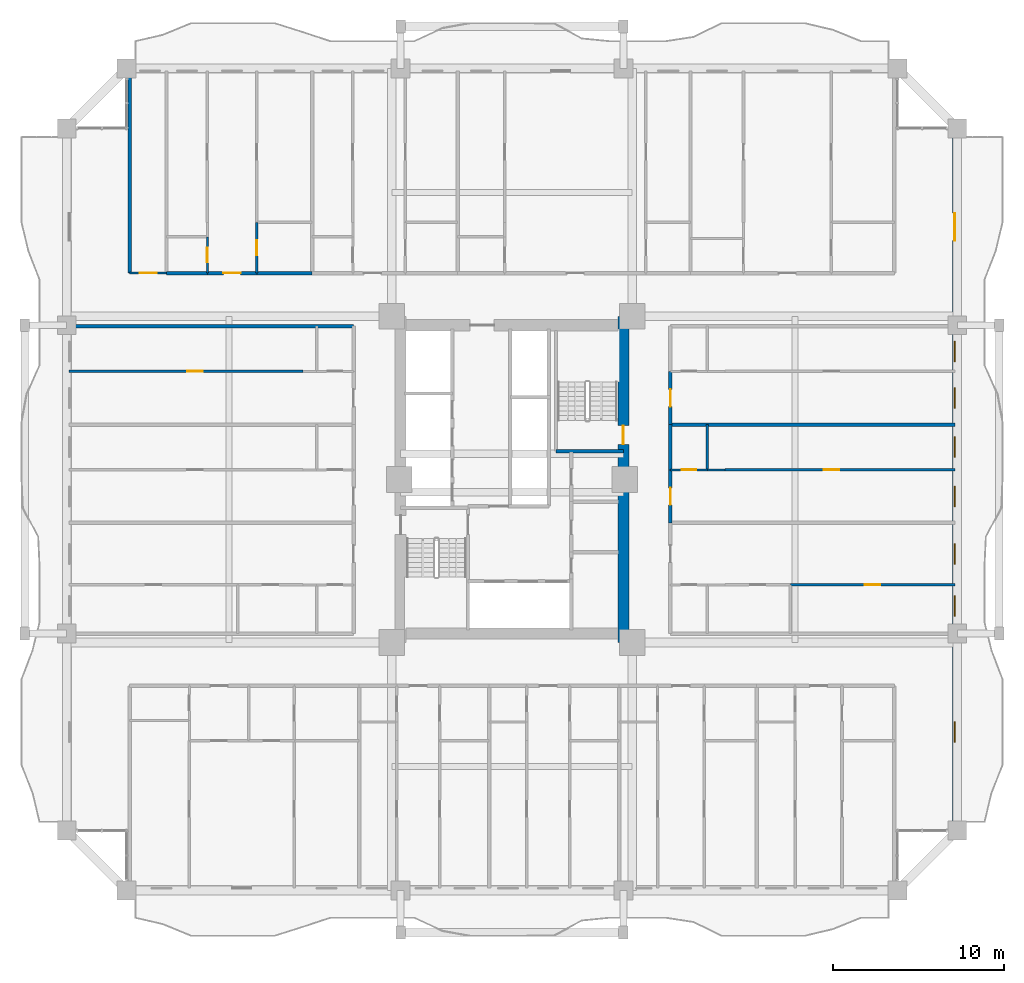
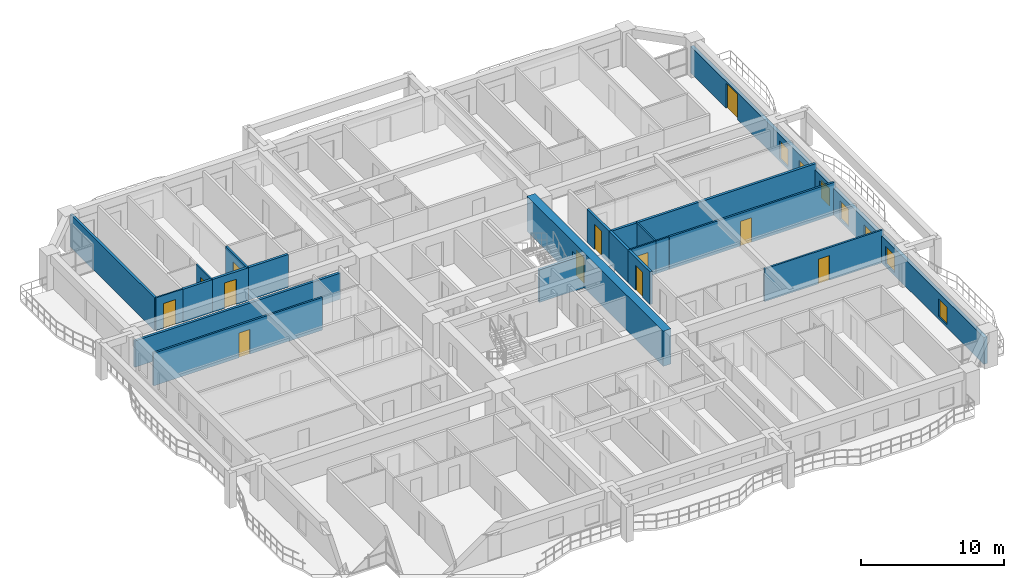
# One storey, part 18 of 28: 21 walls, 12 doors, 7 windows, 19 openings.
"""IFC4 building model written with IfcOpenShell, lengths in metres."""

from ifc_helpers import new_model, si_unit, direction, frame, frame_2d, origin, place, context, subcontext, project, spatial, rectangle, extrude, source, transform, mapped, material, layer, layer_set, type_object, element, fill, save


model = new_model("IFC4")

# Units and contexts
model_context = context("Model", 3, precision=1e-05, world=origin(), true_north=direction((0.0, 1.0)))
body_context = subcontext(model_context, "Body", "Model", "MODEL_VIEW")
ifc_project = project(units=[si_unit("LENGTHUNIT", "METRE"), si_unit("AREAUNIT", "SQUARE_METRE"), si_unit("VOLUMEUNIT", "CUBIC_METRE"), si_unit("PLANEANGLEUNIT", "RADIAN"), si_unit("MASSUNIT", "GRAM", prefix="KILO")], contexts=[model_context])

# Site, building, storey
site_placement = place(None, origin())
site = spatial("IfcSite", under=ifc_project, at=site_placement, CompositionType="ELEMENT")
building_placement = place(site_placement, origin())
building = spatial("IfcBuilding", under=site, at=building_placement, Name="Saelheon Loggia Tower", CompositionType="ELEMENT")
storey_placement = place(building_placement, frame((0.0, 0.0, 61.39990234375)))
storey = spatial("IfcBuildingStorey", under=building, at=storey_placement, Name="L19", CompositionType="ELEMENT", Elevation=61.39990234375)

# Wall, opening, door
ifc_material_1 = material(Name="Concrete C60/75", Category="concrete")
ifc_layer_1 = layer(ifc_material_1, 0.64990234375)
ifc_layer_set_1 = layer_set([ifc_layer_1], Name="Concrete C60/75")
wall_type_1 = type_object("IfcWallType", Name="Wall_CoreShear_650", PredefinedType="SHEAR", material=ifc_layer_set_1)
wall_1_placement = place(storey_placement, frame((44.5, 17.47998046875, 0.0), z_axis=(0.0, 0.0, 1.0), x_axis=(0.0, 1.0, 0.0)))
wall_1 = element("IfcWall", 1, at=wall_1_placement, inside=storey, type_object=wall_type_1, Name="L19 Core Shear Wall East", PredefinedType="SHEAR", context=body_context, shape_type="SweptSolid", body=[
    extrude(rectangle(XDim=19.0400390625, YDim=0.64990234375, at=frame_2d((9.52001953125, 0.0))), origin(), (0.0, 0.0, 1.0), 3.0),
])
opening_1_placement = place(wall_1_placement, frame((12.670166015625, 0.0, 0.0), z_axis=(0.0, 0.0, 1.0), x_axis=(-1.0, 0.0, 0.0)))
opening_1 = element("IfcOpeningElement", 2, at=opening_1_placement, cuts=wall_1, Name="Opening D-FD2", PredefinedType="OPENING", context=body_context, shape_type="SweptSolid", body=[
    extrude(rectangle(XDim=1.10009765625, YDim=2.14990234375, at=frame_2d((0.550048828125, 1.074951171875))), frame((0.0, 0.3369140625, 0.0), z_axis=(0.0, -1.0, 0.0), x_axis=(1.0, 0.0, 0.0)), (0.0, 0.0, 1.0), 0.673828125),
])
ifc_material_2 = material(Name="Galvanised Steel Fire Door", Category="steel")
door_type_1 = type_object("IfcDoorType", Name="Door_Fire_FD60_1100", OperationType="NOTDEFINED", PredefinedType="DOOR", material=ifc_material_2)
shared_shape_1 = source(origin(), body_context, "Body", "SweptSolid", [
    extrude(rectangle(XDim=1.10009765625, YDim=2.14990234375, at=frame_2d((0.550048828125, 1.074951171875))), frame((0.0, 0.02490234375, 0.0), z_axis=(0.0, -1.0, 0.0), x_axis=(1.0, 0.0, 0.0)), (0.0, 0.0, 1.0), 0.050048828125),
])
door_1_placement = place(opening_1_placement, origin())
door_1 = element("IfcDoor", 3, at=door_1_placement, inside=storey, type_object=door_type_1, Name="L19 Stair ST2 Corridor Door", OperationType="SINGLE_SWING_RIGHT", OverallHeight=2.14990234375, OverallWidth=1.10009765625, PredefinedType="DOOR", context=body_context, shape_type="MappedRepresentation", body=[
    mapped(shared_shape_1, transform((0.0, 0.0, 0.0), scale=1.0)),
])
fill(opening_1, door_1)

# Wall, openings, windows, door
ifc_material_3 = material(Name="Architectural Precast Concrete C40/50", Category="concrete")
ifc_layer_2 = layer(ifc_material_3, 0.280029296875)
ifc_layer_set_2 = layer_set([ifc_layer_2], Name="Architectural Precast Concrete C40/50")
wall_type_2 = type_object("IfcWallType", Name="Wall_Ext_Loggia_280", PredefinedType="SOLIDWALL", material=ifc_layer_set_2)
wall_2_placement = place(storey_placement, frame((63.860107421875, 6.5, 0.0), z_axis=(0.0, 0.0, 1.0), x_axis=(0.0, 1.0, 0.0)))
wall_2 = element("IfcWall", 4, at=wall_2_placement, inside=storey, type_object=wall_type_2, Name="L19 East Loggia Inner Wall", PredefinedType="SOLIDWALL", context=body_context, shape_type="SweptSolid", body=[
    extrude(rectangle(XDim=41.0, YDim=0.280029296875, at=frame_2d((20.5, 0.0))), origin(), (0.0, 0.0, 1.0), 2.280029296875),
])
opening_2_placement = place(wall_2_placement, frame((5.14990234375, 0.0, 0.25)))
opening_2 = element("IfcOpeningElement", 5, at=opening_2_placement, cuts=wall_2, Name="Opening WN-03", PredefinedType="OPENING", context=body_context, shape_type="SweptSolid", body=[
    extrude(rectangle(XDim=1.199951171875, YDim=1.5, at=frame_2d((0.60009765625, 0.75))), frame((0.0, 0.152099609375, 0.0), z_axis=(0.0, -1.0, 0.0), x_axis=(1.0, 0.0, 0.0)), (0.0, 0.0, 1.0), 0.303955078125),
])
opening_3_placement = place(wall_2_placement, frame((12.52001953125, 0.0, 0.25)))
opening_3 = element("IfcOpeningElement", 6, at=opening_3_placement, cuts=wall_2, Name="Opening WN-03", PredefinedType="OPENING", context=body_context, shape_type="SweptSolid", body=[
    extrude(rectangle(XDim=1.199951171875, YDim=1.5, at=frame_2d((0.60009765625, 0.75))), frame((0.0, 0.152099609375, 0.0), z_axis=(0.0, -1.0, 0.0), x_axis=(1.0, 0.0, 0.0)), (0.0, 0.0, 1.0), 0.303955078125),
])
opening_4_placement = place(wall_2_placement, frame((15.555908203125, 0.0, 0.25)))
opening_4 = element("IfcOpeningElement", 7, at=opening_4_placement, cuts=wall_2, Name="Opening WN-03", PredefinedType="OPENING", context=body_context, shape_type="SweptSolid", body=[
    extrude(rectangle(XDim=1.199951171875, YDim=1.5, at=frame_2d((0.60009765625, 0.75))), frame((0.0, 0.152099609375, 0.0), z_axis=(0.0, -1.0, 0.0), x_axis=(1.0, 0.0, 0.0)), (0.0, 0.0, 1.0), 0.303955078125),
])
opening_5_placement = place(wall_2_placement, frame((18.912841796875, 0.0, 0.25)))
opening_5 = element("IfcOpeningElement", 8, at=opening_5_placement, cuts=wall_2, Name="Opening WN-03", PredefinedType="OPENING", context=body_context, shape_type="SweptSolid", body=[
    extrude(rectangle(XDim=1.199951171875, YDim=1.5, at=frame_2d((0.60009765625, 0.75))), frame((0.0, 0.152099609375, 0.0), z_axis=(0.0, -1.0, 0.0), x_axis=(1.0, 0.0, 0.0)), (0.0, 0.0, 1.0), 0.303955078125),
])
opening_6_placement = place(wall_2_placement, frame((21.784912109375, 0.0, 0.25)))
opening_6 = element("IfcOpeningElement", 9, at=opening_6_placement, cuts=wall_2, Name="Opening WN-03", PredefinedType="OPENING", context=body_context, shape_type="SweptSolid", body=[
    extrude(rectangle(XDim=1.199951171875, YDim=1.5, at=frame_2d((0.60009765625, 0.75))), frame((0.0, 0.152099609375, 0.0), z_axis=(0.0, -1.0, 0.0), x_axis=(1.0, 0.0, 0.0)), (0.0, 0.0, 1.0), 0.303955078125),
])
opening_7_placement = place(wall_2_placement, frame((24.656982421875, 0.0, 0.25)))
opening_7 = element("IfcOpeningElement", 10, at=opening_7_placement, cuts=wall_2, Name="Opening WN-03", PredefinedType="OPENING", context=body_context, shape_type="SweptSolid", body=[
    extrude(rectangle(XDim=1.199951171875, YDim=1.5, at=frame_2d((0.60009765625, 0.75))), frame((0.0, 0.152099609375, 0.0), z_axis=(0.0, -1.0, 0.0), x_axis=(1.0, 0.0, 0.0)), (0.0, 0.0, 1.0), 0.303955078125),
])
opening_8_placement = place(wall_2_placement, frame((27.35888671875, 0.0, 0.25)))
opening_8 = element("IfcOpeningElement", 11, at=opening_8_placement, cuts=wall_2, Name="Opening WN-03", PredefinedType="OPENING", context=body_context, shape_type="SweptSolid", body=[
    extrude(rectangle(XDim=1.199951171875, YDim=1.5, at=frame_2d((0.60009765625, 0.75))), frame((0.0, 0.152099609375, 0.0), z_axis=(0.0, -1.0, 0.0), x_axis=(1.0, 0.0, 0.0)), (0.0, 0.0, 1.0), 0.303955078125),
])
opening_9_placement = place(wall_2_placement, frame((36.050048828125, 0.0, 0.0), z_axis=(0.0, 0.0, 1.0), x_axis=(-1.0, 0.0, 0.0)))
opening_9 = element("IfcOpeningElement", 12, at=opening_9_placement, cuts=wall_2, Name="Opening DLG-1", PredefinedType="OPENING", context=body_context, shape_type="SweptSolid", body=[
    extrude(rectangle(XDim=1.60009765625, YDim=2.14990234375, at=frame_2d((0.800048828125, 1.074951171875))), frame((0.0, 0.152099609375, 0.0), z_axis=(0.0, -1.0, 0.0), x_axis=(1.0, 0.0, 0.0)), (0.0, 0.0, 1.0), 0.303955078125),
])
ifc_material_4 = material(Name="Thermal-Break Aluminium and Triple Low-E Glass", Category="aluminium")
window_type = type_object("IfcWindowType", Name="Win_Bedroom_1200x1500", PartitioningType="SINGLE_PANEL", PredefinedType="WINDOW", material=ifc_material_4)
shared_shape_2 = source(origin(), body_context, "Body", "SweptSolid", [
    extrude(rectangle(XDim=1.199951171875, YDim=1.5, at=frame_2d((0.60009765625, 0.75))), frame((0.0, 0.030029296875, 0.0), z_axis=(0.0, -1.0, 0.0), x_axis=(1.0, 0.0, 0.0)), (0.0, 0.0, 1.0), 0.06005859375),
])
window_1_placement = place(opening_2_placement, origin())
window_1 = element("IfcWindow", 13, at=window_1_placement, inside=storey, type_object=window_type, Name="L19 E Dwelling Window 1", OverallHeight=1.5, OverallWidth=1.199951171875, PartitioningType="SINGLE_PANEL", PredefinedType="WINDOW", context=body_context, shape_type="MappedRepresentation", body=[
    mapped(shared_shape_2, transform((0.0, 0.0, 0.0), scale=1.0)),
])
fill(opening_2, window_1)
window_2_placement = place(opening_3_placement, origin())
window_2 = element("IfcWindow", 14, at=window_2_placement, inside=storey, type_object=window_type, Name="L19 E Dwelling Window 2", OverallHeight=1.5, OverallWidth=1.199951171875, PartitioningType="SINGLE_PANEL", PredefinedType="WINDOW", context=body_context, shape_type="MappedRepresentation", body=[
    mapped(shared_shape_2, transform((0.0, 0.0, 0.0), scale=1.0)),
])
fill(opening_3, window_2)
window_3_placement = place(opening_4_placement, origin())
window_3 = element("IfcWindow", 15, at=window_3_placement, inside=storey, type_object=window_type, Name="L19 E Dwelling Window 3", OverallHeight=1.5, OverallWidth=1.199951171875, PartitioningType="SINGLE_PANEL", PredefinedType="WINDOW", context=body_context, shape_type="MappedRepresentation", body=[
    mapped(shared_shape_2, transform((0.0, 0.0, 0.0), scale=1.0)),
])
fill(opening_4, window_3)
window_4_placement = place(opening_5_placement, origin())
window_4 = element("IfcWindow", 16, at=window_4_placement, inside=storey, type_object=window_type, Name="L19 E Dwelling Window 4", OverallHeight=1.5, OverallWidth=1.199951171875, PartitioningType="SINGLE_PANEL", PredefinedType="WINDOW", context=body_context, shape_type="MappedRepresentation", body=[
    mapped(shared_shape_2, transform((0.0, 0.0, 0.0), scale=1.0)),
])
fill(opening_5, window_4)
window_5_placement = place(opening_6_placement, origin())
window_5 = element("IfcWindow", 17, at=window_5_placement, inside=storey, type_object=window_type, Name="L19 E Dwelling Window 5", OverallHeight=1.5, OverallWidth=1.199951171875, PartitioningType="SINGLE_PANEL", PredefinedType="WINDOW", context=body_context, shape_type="MappedRepresentation", body=[
    mapped(shared_shape_2, transform((0.0, 0.0, 0.0), scale=1.0)),
])
fill(opening_6, window_5)
window_6_placement = place(opening_7_placement, origin())
window_6 = element("IfcWindow", 18, at=window_6_placement, inside=storey, type_object=window_type, Name="L19 E Dwelling Window 6", OverallHeight=1.5, OverallWidth=1.199951171875, PartitioningType="SINGLE_PANEL", PredefinedType="WINDOW", context=body_context, shape_type="MappedRepresentation", body=[
    mapped(shared_shape_2, transform((0.0, 0.0, 0.0), scale=1.0)),
])
fill(opening_7, window_6)
window_7_placement = place(opening_8_placement, origin())
window_7 = element("IfcWindow", 19, at=window_7_placement, inside=storey, type_object=window_type, Name="L19 E Dwelling Window 7", OverallHeight=1.5, OverallWidth=1.199951171875, PartitioningType="SINGLE_PANEL", PredefinedType="WINDOW", context=body_context, shape_type="MappedRepresentation", body=[
    mapped(shared_shape_2, transform((0.0, 0.0, 0.0), scale=1.0)),
])
fill(opening_8, window_7)
ifc_material_5 = material(Name="Thermal-Break Aluminium Sliding Glazed Door", Category="aluminium")
door_type_2 = type_object("IfcDoorType", Name="Door_LoggiaSlide_1600", OperationType="SLIDING_TO_LEFT", PredefinedType="DOOR", material=ifc_material_5)
shared_shape_3 = source(origin(), body_context, "Body", "SweptSolid", [
    extrude(rectangle(XDim=1.60009765625, YDim=2.14990234375, at=frame_2d((0.800048828125, 1.074951171875))), frame((0.0, 0.02490234375, 0.0), z_axis=(0.0, -1.0, 0.0), x_axis=(1.0, 0.0, 0.0)), (0.0, 0.0, 1.0), 0.050048828125),
])
door_2_placement = place(opening_9_placement, origin())
door_2 = element("IfcDoor", 20, at=door_2_placement, inside=storey, type_object=door_type_2, Name="L19 E Loggia Access Door", OperationType="SLIDING_TO_LEFT", OverallHeight=2.14990234375, OverallWidth=1.60009765625, PredefinedType="DOOR", context=body_context, shape_type="MappedRepresentation", body=[
    mapped(shared_shape_3, transform((0.0, 0.0, 0.0), scale=1.0)),
])
fill(opening_9, door_2)

# Wall, opening, door
ifc_material_6 = material(Name="Lightweight Autoclaved Aerated Concrete Block and Acoustic Gypsum", Category="concrete")
ifc_layer_3 = layer(ifc_material_6, 0.14990234375)
ifc_layer_set_3 = layer_set([ifc_layer_3], Name="Lightweight Autoclaved Aerated Concrete Block and Acoustic Gypsum")
wall_type_3 = type_object("IfcWallType", Name="Wall_Part_150", PredefinedType="PARTITIONING", material=ifc_layer_set_3)
wall_3_placement = place(storey_placement, frame((23.098876953125, 39.050048828125, 0.0), z_axis=(0.0, 0.0, 1.0), x_axis=(0.0, 1.0, 0.0)))
wall_3 = element("IfcWall", 21, at=wall_3_placement, inside=storey, type_object=wall_type_3, Name="L19 N Partition U13", PredefinedType="PARTITIONING", context=body_context, shape_type="SweptSolid", body=[
    extrude(rectangle(XDim=2.9599609375, YDim=0.14990234375, at=frame_2d((1.47998046875, 0.0))), origin(), (0.0, 0.0, 1.0), 2.7900390625),
])
opening_10_placement = place(wall_3_placement, frame((1.030029296875, 0.0, 0.0)))
opening_10 = element("IfcOpeningElement", 22, at=opening_10_placement, cuts=wall_3, Name="Opening D-IN2", PredefinedType="OPENING", context=body_context, shape_type="SweptSolid", body=[
    extrude(rectangle(XDim=0.89990234375, YDim=2.10009765625, at=frame_2d((0.449951171875, 1.050048828125))), frame((0.0, 0.0869140625, 0.0), z_axis=(0.0, -1.0, 0.0), x_axis=(1.0, 0.0, 0.0)), (0.0, 0.0, 1.0), 0.173828125),
])
ifc_material_7 = material(Name="Engineered Oak Flush Door", Category="timber")
door_type_3 = type_object("IfcDoorType", Name="Door_Int_900", OperationType="NOTDEFINED", PredefinedType="DOOR", material=ifc_material_7)
shared_shape_4 = source(origin(), body_context, "Body", "SweptSolid", [
    extrude(rectangle(XDim=0.89990234375, YDim=2.10009765625, at=frame_2d((0.449951171875, 1.050048828125))), frame((0.0, 0.02490234375, 0.0), z_axis=(0.0, -1.0, 0.0), x_axis=(1.0, 0.0, 0.0)), (0.0, 0.0, 1.0), 0.050048828125),
])
door_3_placement = place(opening_10_placement, origin())
door_3 = element("IfcDoor", 23, at=door_3_placement, inside=storey, type_object=door_type_3, Name="Unit U06 Dressing Closet Door", OperationType="SINGLE_SWING_RIGHT", OverallHeight=2.10009765625, OverallWidth=0.89990234375, PredefinedType="DOOR", context=body_context, shape_type="MappedRepresentation", body=[
    mapped(shared_shape_4, transform((0.0, 0.0, 0.0), scale=1.0)),
])
fill(opening_10, door_3)

wall_4_placement = place(storey_placement, frame((25.7900390625, 33.307861328125, 0.0), z_axis=(0.0, 0.0, 1.0), x_axis=(-1.0, 0.0, 0.0)))
wall_4 = element("IfcWall", 24, at=wall_4_placement, inside=storey, type_object=wall_type_3, Name="L19 W Partition U24", PredefinedType="PARTITIONING", context=body_context, shape_type="SweptSolid", body=[
    extrude(rectangle(XDim=13.64013671875, YDim=0.14990234375, at=frame_2d((6.820068359375, 0.0))), origin(), (0.0, 0.0, 1.0), 2.7900390625),
])
opening_11_placement = place(wall_4_placement, frame((5.859130859375, 0.0, 0.0)))
opening_11 = element("IfcOpeningElement", 25, at=opening_11_placement, cuts=wall_4, Name="Opening D-IN2", PredefinedType="OPENING", context=body_context, shape_type="SweptSolid", body=[
    extrude(rectangle(XDim=0.89990234375, YDim=2.10009765625, at=frame_2d((0.449951171875, 1.050048828125))), frame((0.0, 0.0869140625, 0.0), z_axis=(0.0, -1.0, 0.0), x_axis=(1.0, 0.0, 0.0)), (0.0, 0.0, 1.0), 0.173828125),
])
door_4_placement = place(opening_11_placement, origin())
door_4 = element("IfcDoor", 26, at=door_4_placement, inside=storey, type_object=door_type_3, Name="Unit U12 Kitchen Door", OperationType="SINGLE_SWING_RIGHT", OverallHeight=2.10009765625, OverallWidth=0.89990234375, PredefinedType="DOOR", context=body_context, shape_type="MappedRepresentation", body=[
    mapped(shared_shape_4, transform((0.0, 0.0, 0.0), scale=1.0)),
])
fill(opening_11, door_4)

wall_5_placement = place(storey_placement, frame((54.25, 20.85009765625, 0.0), z_axis=(0.0, 0.0, 1.0), x_axis=(1.0, 0.0, 0.0)))
wall_5 = element("IfcWall", 27, at=wall_5_placement, inside=storey, type_object=wall_type_3, Name="L19 E Partition U10", PredefinedType="PARTITIONING", context=body_context, shape_type="SweptSolid", body=[
    extrude(rectangle(XDim=9.60009765625, YDim=0.14990234375, at=frame_2d((4.800048828125, 0.0))), origin(), (0.0, 0.0, 1.0), 2.7900390625),
])
opening_12_placement = place(wall_5_placement, frame((4.35009765625, 0.0, 0.0)))
opening_12 = element("IfcOpeningElement", 28, at=opening_12_placement, cuts=wall_5, Name="Opening D-IN2", PredefinedType="OPENING", context=body_context, shape_type="SweptSolid", body=[
    extrude(rectangle(XDim=0.89990234375, YDim=2.10009765625, at=frame_2d((0.449951171875, 1.050048828125))), frame((0.0, 0.0869140625, 0.0), z_axis=(0.0, -1.0, 0.0), x_axis=(1.0, 0.0, 0.0)), (0.0, 0.0, 1.0), 0.173828125),
])
door_5_placement = place(opening_12_placement, origin())
door_5 = element("IfcDoor", 29, at=door_5_placement, inside=storey, type_object=door_type_3, Name="Unit U13 Bedroom 1 Door", OperationType="SINGLE_SWING_RIGHT", OverallHeight=2.10009765625, OverallWidth=0.89990234375, PredefinedType="DOOR", context=body_context, shape_type="MappedRepresentation", body=[
    mapped(shared_shape_4, transform((0.0, 0.0, 0.0), scale=1.0)),
])
fill(opening_12, door_5)

wall_6_placement = place(storey_placement, frame((50.449951171875, 27.563720703125, 0.0), z_axis=(0.0, 0.0, 1.0), x_axis=(1.0, 0.0, 0.0)))
wall_6 = element("IfcWall", 30, at=wall_6_placement, inside=storey, type_object=wall_type_3, Name="L19 E Partition U17", PredefinedType="PARTITIONING", context=body_context, shape_type="SweptSolid", body=[
    extrude(rectangle(XDim=13.400146484375, YDim=0.14990234375, at=frame_2d((6.7001953125, 0.0))), origin(), (0.0, 0.0, 1.0), 2.7900390625),
])
opening_13_placement = place(wall_6_placement, frame((5.749267578125, 0.0, 0.0)))
opening_13 = element("IfcOpeningElement", 31, at=opening_13_placement, cuts=wall_6, Name="Opening D-IN2", PredefinedType="OPENING", context=body_context, shape_type="SweptSolid", body=[
    extrude(rectangle(XDim=0.89990234375, YDim=2.10009765625, at=frame_2d((0.449951171875, 1.050048828125))), frame((0.0, 0.0869140625, 0.0), z_axis=(0.0, -1.0, 0.0), x_axis=(1.0, 0.0, 0.0)), (0.0, 0.0, 1.0), 0.173828125),
])
door_6_placement = place(opening_13_placement, origin())
door_6 = element("IfcDoor", 32, at=door_6_placement, inside=storey, type_object=door_type_3, Name="Unit U14 Kitchen Door", OperationType="SINGLE_SWING_LEFT", OverallHeight=2.10009765625, OverallWidth=0.89990234375, PredefinedType="DOOR", context=body_context, shape_type="MappedRepresentation", body=[
    mapped(shared_shape_4, transform((0.0, 0.0, 0.0), scale=1.0)),
])
fill(opening_13, door_6)

# Walls
ifc_material_8 = material(Name="Double Acoustic Stud and Fireboard Partition", Category="gypsum")
ifc_layer_4 = layer(ifc_material_8, 0.199951171875)
ifc_layer_set_4 = layer_set([ifc_layer_4], Name="Double Acoustic Stud and Fireboard Partition")
wall_type_4 = type_object("IfcWallType", Name="Wall_Party_200", PredefinedType="PARTITIONING", material=ifc_layer_set_4)
wall_7_placement = place(storey_placement, frame((15.679931640625, 39.050048828125, 0.0), z_axis=(0.0, 0.0, 1.0), x_axis=(0.0, 1.0, 0.0)))
element("IfcWall", 33, at=wall_7_placement, inside=storey, type_object=wall_type_4, Name="L19 N Partition U01", PredefinedType="PARTITIONING", context=body_context, shape_type="SweptSolid", body=[
    extrude(rectangle(XDim=11.800048828125, YDim=0.199951171875, at=frame_2d((5.89990234375, 0.0))), origin(), (0.0, 0.0, 1.0), 2.7900390625),
])
wall_8_placement = place(storey_placement, frame((17.830078125, 39.050048828125, 0.0), z_axis=(0.0, 0.0, 1.0), x_axis=(1.0, 0.0, 0.0)))
element("IfcWall", 34, at=wall_8_placement, inside=storey, type_object=wall_type_4, Name="L19 N Partition V05", PredefinedType="PARTITIONING", context=body_context, shape_type="SweptSolid", body=[
    extrude(rectangle(XDim=2.37939453125, YDim=0.199951171875, at=frame_2d((1.189697265625, 0.0))), origin(), (0.0, 0.0, 1.0), 2.7900390625),
])

# Wall, opening, door
wall_9_placement = place(storey_placement, frame((20.20947265625, 39.050048828125, 0.0), z_axis=(0.0, 0.0, 1.0), x_axis=(1.0, 0.0, 0.0)))
wall_9 = element("IfcWall", 35, at=wall_9_placement, inside=storey, type_object=wall_type_4, Name="L19 N Partition V06", PredefinedType="PARTITIONING", context=body_context, shape_type="SweptSolid", body=[
    extrude(rectangle(XDim=2.889404296875, YDim=0.199951171875, at=frame_2d((1.44482421875, 0.0))), origin(), (0.0, 0.0, 1.0), 2.7900390625),
])
opening_14_placement = place(wall_9_placement, frame((0.944580078125, 0.0, 0.0)))
opening_14 = element("IfcOpeningElement", 36, at=opening_14_placement, cuts=wall_9, Name="Opening D-FD1", PredefinedType="OPENING", context=body_context, shape_type="SweptSolid", body=[
    extrude(rectangle(XDim=1.0, YDim=2.14990234375, at=frame_2d((0.5, 1.074951171875))), frame((0.0, 0.112060546875, 0.0), z_axis=(0.0, -1.0, 0.0), x_axis=(1.0, 0.0, 0.0)), (0.0, 0.0, 1.0), 0.223876953125),
])
ifc_material_9 = material(Name="Fire-Rated Engineered Timber Entrance Door", Category="wood")
door_type_4 = type_object("IfcDoorType", Name="Door_Flat_FD30S", OperationType="NOTDEFINED", PredefinedType="DOOR", material=ifc_material_9)
shared_shape_5 = source(origin(), body_context, "Body", "SweptSolid", [
    extrude(rectangle(XDim=1.0, YDim=2.14990234375, at=frame_2d((0.5, 1.074951171875))), frame((0.0, 0.02490234375, 0.0), z_axis=(0.0, -1.0, 0.0), x_axis=(1.0, 0.0, 0.0)), (0.0, 0.0, 1.0), 0.050048828125),
])
door_7_placement = place(opening_14_placement, origin())
door_7 = element("IfcDoor", 37, at=door_7_placement, inside=storey, type_object=door_type_4, Name="Unit U06 Entrance Door", OperationType="SINGLE_SWING_LEFT", OverallHeight=2.14990234375, OverallWidth=1.0, PredefinedType="DOOR", context=body_context, shape_type="MappedRepresentation", body=[
    mapped(shared_shape_5, transform((0.0, 0.0, 0.0), scale=1.0)),
])
fill(opening_14, door_7)

# Walls
wall_10_placement = place(storey_placement, frame((23.098876953125, 39.050048828125, 0.0), z_axis=(0.0, 0.0, 1.0), x_axis=(1.0, 0.0, 0.0)))
element("IfcWall", 38, at=wall_10_placement, inside=storey, type_object=wall_type_4, Name="L19 N Partition V07", PredefinedType="PARTITIONING", context=body_context, shape_type="SweptSolid", body=[
    extrude(rectangle(XDim=3.22900390625, YDim=0.199951171875, at=frame_2d((1.614501953125, 0.0))), origin(), (0.0, 0.0, 1.0), 2.7900390625),
])
wall_11_placement = place(storey_placement, frame((28.75, 35.949951171875, 0.0), z_axis=(0.0, 0.0, 1.0), x_axis=(-1.0, 0.0, 0.0)))
element("IfcWall", 39, at=wall_11_placement, inside=storey, type_object=wall_type_4, Name="L19 W Partition U02", PredefinedType="PARTITIONING", context=body_context, shape_type="SweptSolid", body=[
    extrude(rectangle(XDim=16.60009765625, YDim=0.199951171875, at=frame_2d((8.300048828125, 0.0))), origin(), (0.0, 0.0, 1.0), 2.239990234375),
])

# Wall, opening, door
wall_12_placement = place(storey_placement, frame((47.25, 24.4619140625, 0.0), z_axis=(0.0, 0.0, 1.0), x_axis=(0.0, 1.0, 0.0)))
wall_12 = element("IfcWall", 40, at=wall_12_placement, inside=storey, type_object=wall_type_4, Name="L19 E Partition V12", PredefinedType="PARTITIONING", context=body_context, shape_type="SweptSolid", body=[
    extrude(rectangle(XDim=3.101806640625, YDim=0.199951171875, at=frame_2d((1.55078125, 0.0))), origin(), (0.0, 0.0, 1.0), 2.7900390625),
])
opening_15_placement = place(wall_12_placement, frame((1.05078125, 0.0, 0.0)))
opening_15 = element("IfcOpeningElement", 41, at=opening_15_placement, cuts=wall_12, Name="Opening D-FD1", PredefinedType="OPENING", context=body_context, shape_type="SweptSolid", body=[
    extrude(rectangle(XDim=1.0, YDim=2.14990234375, at=frame_2d((0.5, 1.074951171875))), frame((0.0, 0.112060546875, 0.0), z_axis=(0.0, -1.0, 0.0), x_axis=(1.0, 0.0, 0.0)), (0.0, 0.0, 1.0), 0.223876953125),
])
door_8_placement = place(opening_15_placement, origin())
door_8 = element("IfcDoor", 42, at=door_8_placement, inside=storey, type_object=door_type_4, Name="Unit U14 Entrance Door", OperationType="SINGLE_SWING_LEFT", OverallHeight=2.14990234375, OverallWidth=1.0, PredefinedType="DOOR", context=body_context, shape_type="MappedRepresentation", body=[
    mapped(shared_shape_5, transform((0.0, 0.0, 0.0), scale=1.0)),
])
fill(opening_15, door_8)

# Walls
wall_13_placement = place(storey_placement, frame((47.25, 27.563720703125, 0.0), z_axis=(0.0, 0.0, 1.0), x_axis=(0.0, 1.0, 0.0)))
element("IfcWall", 43, at=wall_13_placement, inside=storey, type_object=wall_type_4, Name="L19 E Partition V13", PredefinedType="PARTITIONING", context=body_context, shape_type="SweptSolid", body=[
    extrude(rectangle(XDim=2.642333984375, YDim=0.199951171875, at=frame_2d((1.3212890625, 0.0))), origin(), (0.0, 0.0, 1.0), 2.7900390625),
])
wall_14_placement = place(storey_placement, frame((47.25, 30.2060546875, 0.0), z_axis=(0.0, 0.0, 1.0), x_axis=(1.0, 0.0, 0.0)))
element("IfcWall", 44, at=wall_14_placement, inside=storey, type_object=wall_type_4, Name="L19 E Partition U18", PredefinedType="PARTITIONING", context=body_context, shape_type="SweptSolid", body=[
    extrude(rectangle(XDim=16.60009765625, YDim=0.199951171875, at=frame_2d((8.300048828125, 0.0))), origin(), (0.0, 0.0, 1.0), 2.7900390625),
])

# Wall, opening, door
wall_15_placement = place(storey_placement, frame((47.25, 30.2060546875, 0.0), z_axis=(0.0, 0.0, 1.0), x_axis=(0.0, 1.0, 0.0)))
wall_15 = element("IfcWall", 45, at=wall_15_placement, inside=storey, type_object=wall_type_4, Name="L19 E Partition V19", PredefinedType="PARTITIONING", context=body_context, shape_type="SweptSolid", body=[
    extrude(rectangle(XDim=3.101806640625, YDim=0.199951171875, at=frame_2d((1.55078125, 0.0))), origin(), (0.0, 0.0, 1.0), 2.7900390625),
])
opening_16_placement = place(wall_15_placement, frame((1.05078125, 0.0, 0.0)))
opening_16 = element("IfcOpeningElement", 46, at=opening_16_placement, cuts=wall_15, Name="Opening D-FD1", PredefinedType="OPENING", context=body_context, shape_type="SweptSolid", body=[
    extrude(rectangle(XDim=1.0, YDim=2.14990234375, at=frame_2d((0.5, 1.074951171875))), frame((0.0, 0.112060546875, 0.0), z_axis=(0.0, -1.0, 0.0), x_axis=(1.0, 0.0, 0.0)), (0.0, 0.0, 1.0), 0.223876953125),
])
door_9_placement = place(opening_16_placement, origin())
door_9 = element("IfcDoor", 47, at=door_9_placement, inside=storey, type_object=door_type_4, Name="Unit U15 Entrance Door", OperationType="SINGLE_SWING_RIGHT", OverallHeight=2.14990234375, OverallWidth=1.0, PredefinedType="DOOR", context=body_context, shape_type="MappedRepresentation", body=[
    mapped(shared_shape_5, transform((0.0, 0.0, 0.0), scale=1.0)),
])
fill(opening_16, door_9)

# Wall
ifc_material_10 = material(Name="Concrete C45/55", Category="concrete")
ifc_layer_5 = layer(ifc_material_10, 0.199951171875)
ifc_layer_set_5 = layer_set([ifc_layer_5], Name="Concrete C45/55")
wall_type_5 = type_object("IfcWallType", Name="Wall_StairShaft_RC200", PredefinedType="SOLIDWALL", material=ifc_layer_set_5)
wall_16_placement = place(storey_placement, frame((40.570068359375, 28.64990234375, 0.0), z_axis=(0.0, 0.0, 1.0), x_axis=(1.0, 0.0, 0.0)))
element("IfcWall", 48, at=wall_16_placement, inside=storey, type_object=wall_type_5, Name="L19 Stair ST2 South Wall", PredefinedType="SOLIDWALL", context=body_context, shape_type="SweptSolid", body=[
    extrude(rectangle(XDim=3.929931640625, YDim=0.199951171875, at=frame_2d((1.96484375, 0.0))), origin(), (0.0, 0.0, 1.0), 2.7900390625),
])

# Wall, opening, door
ifc_material_11 = material(Name="Moisture-Resistant Cement Board Partition", Category="gypsum")
ifc_layer_6 = layer(ifc_material_11, 0.1201171875)
ifc_layer_set_6 = layer_set([ifc_layer_6], Name="Moisture-Resistant Cement Board Partition")
wall_type_6 = type_object("IfcWallType", Name="Wall_WetPart_120", PredefinedType="PARTITIONING", material=ifc_layer_set_6)
wall_17_placement = place(storey_placement, frame((15.679931640625, 39.050048828125, 0.0), z_axis=(0.0, 0.0, 1.0), x_axis=(1.0, 0.0, 0.0)))
wall_17 = element("IfcWall", 49, at=wall_17_placement, inside=storey, type_object=wall_type_6, Name="L19 N Partition V04", PredefinedType="PARTITIONING", context=body_context, shape_type="SweptSolid", body=[
    extrude(rectangle(XDim=2.150146484375, YDim=0.1201171875, at=frame_2d((1.0751953125, 0.0))), origin(), (0.0, 0.0, 1.0), 2.7900390625),
])
opening_17_placement = place(wall_17_placement, frame((0.574951171875, 0.0, 0.0)))
opening_17 = element("IfcOpeningElement", 50, at=opening_17_placement, cuts=wall_17, Name="Opening D-AC1", PredefinedType="OPENING", context=body_context, shape_type="SweptSolid", body=[
    extrude(rectangle(XDim=1.0, YDim=2.10009765625, at=frame_2d((0.5, 1.050048828125))), frame((0.0, 0.072021484375, 0.0), z_axis=(0.0, -1.0, 0.0), x_axis=(1.0, 0.0, 0.0)), (0.0, 0.0, 1.0), 0.14404296875),
])
ifc_material_12 = material(Name="Accessible Laminate Flush Door", Category="timber")
door_type_5 = type_object("IfcDoorType", Name="Door_Acc_1000", OperationType="NOTDEFINED", PredefinedType="DOOR", material=ifc_material_12)
shared_shape_6 = source(origin(), body_context, "Body", "SweptSolid", [
    extrude(rectangle(XDim=1.0, YDim=2.10009765625, at=frame_2d((0.5, 1.050048828125))), frame((0.0, 0.02490234375, 0.0), z_axis=(0.0, -1.0, 0.0), x_axis=(1.0, 0.0, 0.0)), (0.0, 0.0, 1.0), 0.050048828125),
])
door_10_placement = place(opening_17_placement, origin())
door_10 = element("IfcDoor", 51, at=door_10_placement, inside=storey, type_object=door_type_5, Name="L19 Floor Accessible WC Door", OperationType="SINGLE_SWING_RIGHT", OverallHeight=2.10009765625, OverallWidth=1.0, PredefinedType="DOOR", context=body_context, shape_type="MappedRepresentation", body=[
    mapped(shared_shape_6, transform((0.0, 0.0, 0.0), scale=1.0)),
])
fill(opening_17, door_10)

wall_18_placement = place(storey_placement, frame((20.20947265625, 39.050048828125, 0.0), z_axis=(0.0, 0.0, 1.0), x_axis=(0.0, 1.0, 0.0)))
wall_18 = element("IfcWall", 52, at=wall_18_placement, inside=storey, type_object=wall_type_6, Name="L19 N Partition U10", PredefinedType="PARTITIONING", context=body_context, shape_type="SweptSolid", body=[
    extrude(rectangle(XDim=2.119873046875, YDim=0.1201171875, at=frame_2d((1.06005859375, 0.0))), origin(), (0.0, 0.0, 1.0), 2.7900390625),
])
opening_18_placement = place(wall_18_placement, frame((0.635009765625, 0.0, 0.0)))
opening_18 = element("IfcOpeningElement", 53, at=opening_18_placement, cuts=wall_18, Name="Opening D-BT1", PredefinedType="OPENING", context=body_context, shape_type="SweptSolid", body=[
    extrude(rectangle(XDim=0.85009765625, YDim=2.050048828125, at=frame_2d((0.425048828125, 1.02490234375))), frame((0.0, 0.072021484375, 0.0), z_axis=(0.0, -1.0, 0.0), x_axis=(1.0, 0.0, 0.0)), (0.0, 0.0, 1.0), 0.14404296875),
])
ifc_material_13 = material(Name="Moisture-Resistant Laminate Timber Door", Category="wood")
door_type_6 = type_object("IfcDoorType", Name="Door_Bath_850", OperationType="NOTDEFINED", PredefinedType="DOOR", material=ifc_material_13)
shared_shape_7 = source(origin(), body_context, "Body", "SweptSolid", [
    extrude(rectangle(XDim=0.85009765625, YDim=2.050048828125, at=frame_2d((0.425048828125, 1.02490234375))), frame((0.0, 0.02490234375, 0.0), z_axis=(0.0, -1.0, 0.0), x_axis=(1.0, 0.0, 0.0)), (0.0, 0.0, 1.0), 0.050048828125),
])
door_11_placement = place(opening_18_placement, origin())
door_11 = element("IfcDoor", 54, at=door_11_placement, inside=storey, type_object=door_type_6, Name="Unit U06 Bathroom Door", OperationType="SINGLE_SWING_RIGHT", OverallHeight=2.050048828125, OverallWidth=0.85009765625, PredefinedType="DOOR", context=body_context, shape_type="MappedRepresentation", body=[
    mapped(shared_shape_7, transform((0.0, 0.0, 0.0), scale=1.0)),
])
fill(opening_18, door_11)

wall_19_placement = place(storey_placement, frame((47.25, 27.563720703125, 0.0), z_axis=(0.0, 0.0, 1.0), x_axis=(1.0, 0.0, 0.0)))
wall_19 = element("IfcWall", 55, at=wall_19_placement, inside=storey, type_object=wall_type_6, Name="L19 E Partition U14", PredefinedType="PARTITIONING", context=body_context, shape_type="SweptSolid", body=[
    extrude(rectangle(XDim=2.14990234375, YDim=0.1201171875, at=frame_2d((1.074951171875, 0.0))), origin(), (0.0, 0.0, 1.0), 2.7900390625),
])
opening_19_placement = place(wall_19_placement, frame((0.64990234375, 0.0, 0.0)))
opening_19 = element("IfcOpeningElement", 56, at=opening_19_placement, cuts=wall_19, Name="Opening D-BT1", PredefinedType="OPENING", context=body_context, shape_type="SweptSolid", body=[
    extrude(rectangle(XDim=0.85009765625, YDim=2.050048828125, at=frame_2d((0.425048828125, 1.02490234375))), frame((0.0, 0.072021484375, 0.0), z_axis=(0.0, -1.0, 0.0), x_axis=(1.0, 0.0, 0.0)), (0.0, 0.0, 1.0), 0.14404296875),
])
door_12_placement = place(opening_19_placement, origin())
door_12 = element("IfcDoor", 57, at=door_12_placement, inside=storey, type_object=door_type_6, Name="Unit U14 Bathroom Door", OperationType="SINGLE_SWING_RIGHT", OverallHeight=2.050048828125, OverallWidth=0.85009765625, PredefinedType="DOOR", context=body_context, shape_type="MappedRepresentation", body=[
    mapped(shared_shape_7, transform((0.0, 0.0, 0.0), scale=1.0)),
])
fill(opening_19, door_12)

# Walls
wall_20_placement = place(storey_placement, frame((49.39990234375, 27.563720703125, 0.0), z_axis=(0.0, 0.0, 1.0), x_axis=(1.0, 0.0, 0.0)))
element("IfcWall", 58, at=wall_20_placement, inside=storey, type_object=wall_type_6, Name="L19 E Partition U15", PredefinedType="PARTITIONING", context=body_context, shape_type="SweptSolid", body=[
    extrude(rectangle(XDim=1.050048828125, YDim=0.1201171875, at=frame_2d((0.52490234375, 0.0))), origin(), (0.0, 0.0, 1.0), 2.7900390625),
])
wall_21_placement = place(storey_placement, frame((49.39990234375, 27.563720703125, 0.0), z_axis=(0.0, 0.0, 1.0), x_axis=(0.0, 1.0, 0.0)))
element("IfcWall", 59, at=wall_21_placement, inside=storey, type_object=wall_type_6, Name="L19 E Partition V16", PredefinedType="PARTITIONING", context=body_context, shape_type="SweptSolid", body=[
    extrude(rectangle(XDim=2.642333984375, YDim=0.1201171875, at=frame_2d((1.3212890625, 0.0))), origin(), (0.0, 0.0, 1.0), 2.7900390625),
])

save(model, "model.ifc")
